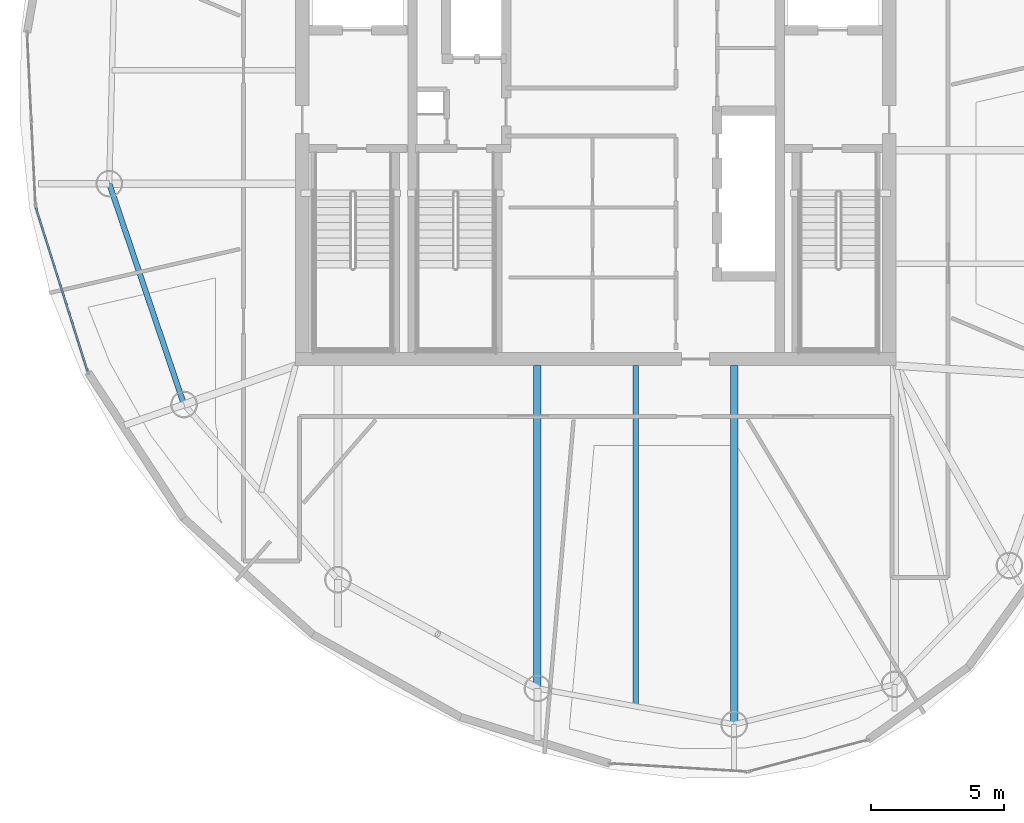
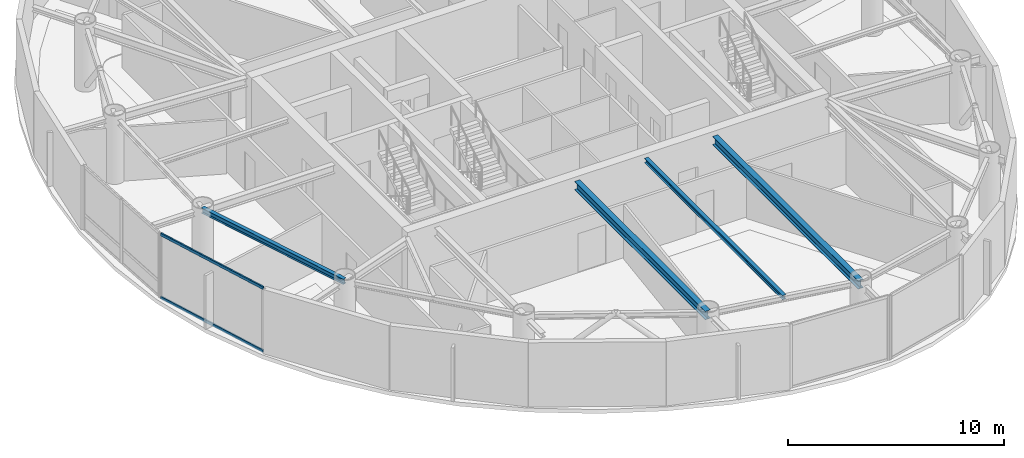
# One storey, part 4 of 19: 4 beams, 2 members, 1 element without a shape of its own.
"""IFC4 building model written with IfcOpenShell, lengths in metres."""

from ifc_helpers import new_model, si_unit, direction, frame, origin, origin_2d, place, context, subcontext, project, spatial, hollow_rectangle, i_section, extrude, material, layer, layer_set, material_profile, profile_set, type_object, element, aggregate, save


model = new_model("IFC4")

# Units and contexts
model_context = context("Model", 3, precision=1e-05, world=origin(), true_north=direction((0.0, 1.0)))
body_context = subcontext(model_context, "Body", "Model", "MODEL_VIEW")
ifc_project = project(units=[si_unit("LENGTHUNIT", "METRE"), si_unit("AREAUNIT", "SQUARE_METRE"), si_unit("VOLUMEUNIT", "CUBIC_METRE"), si_unit("PLANEANGLEUNIT", "RADIAN"), si_unit("MASSUNIT", "GRAM", prefix="KILO")], contexts=[model_context])

# Site, building, storey
site_placement = place(None, origin())
site = spatial("IfcSite", under=ifc_project, at=site_placement, CompositionType="ELEMENT")
building_placement = place(site_placement, origin())
building = spatial("IfcBuilding", under=site, at=building_placement, Name="Bramvorn Convention Spire", CompositionType="ELEMENT")
storey_placement = place(building_placement, frame((0.0, 0.0, 292.10009765625)))
storey = spatial("IfcBuildingStorey", under=building, at=storey_placement, Name="L74", CompositionType="ELEMENT", Elevation=292.10009765625)

# Beams
ifc_material_1 = material(Name="Steel CSA G40.21 Grade 350 (350W)", Category="steel")
ifc_material_profile_1 = material_profile(ifc_material_1, i_section(OverallWidth=0.201904296875, OverallDepth=0.2470703125, WebThickness=0.00732421875, FlangeThickness=0.010986328125, FilletRadius=0.011962890625, at=origin_2d()))
ifc_profile_set_1 = profile_set([ifc_material_profile_1], Name="Steel CSA G40.21 Grade 350 (350W) - W250X49")
beam_type_1 = type_object("IfcBeamType", Name="BM-W250X49", PredefinedType="JOIST", material=ifc_profile_set_1)
beam_1_placement = place(storey_placement, frame((39.501953125, 18.550048828125, 3.50146484375), z_axis=(0.0, -1.0, 0.0), x_axis=(1.0, 0.0, 0.0)))
element("IfcBeam", 1, at=beam_1_placement, inside=storey, type_object=beam_type_1, Name="L74 composite floor joist 15", PredefinedType="JOIST", context=body_context, shape_type="SweptSolid", body=[
    extrude(i_section(OverallWidth=0.201904296875, OverallDepth=0.2470703125, WebThickness=0.00732421875, FlangeThickness=0.010986328125, FilletRadius=0.011962890625, at=origin_2d()), origin(), (0.0, 0.0, 1.0), 12.77587890625),
])
ifc_material_profile_2 = material_profile(ifc_material_1, i_section(OverallWidth=0.202880859375, OverallDepth=0.302978515625, WebThickness=0.007568359375, FlangeThickness=0.01318359375, FilletRadius=0.013916015625, at=origin_2d()))
ifc_profile_set_2 = profile_set([ifc_material_profile_2], Name="Steel CSA G40.21 Grade 350 (350W) - W310X60")
beam_type_2 = type_object("IfcBeamType", Name="BM-W310X60", PredefinedType="JOIST", material=ifc_profile_set_2)
beam_2_placement = place(storey_placement, frame((19.765380859375, 25.37060546875, 3.473388671875), z_axis=(0.320531023763, -0.947238018032, 0.0), x_axis=(0.947238018032, 0.320531023763, 0.0)))
element("IfcBeam", 2, at=beam_2_placement, inside=storey, type_object=beam_type_2, Name="L74 mega-column ring beam 12", PredefinedType="JOIST", context=body_context, shape_type="SweptSolid", body=[
    extrude(i_section(OverallWidth=0.202880859375, OverallDepth=0.302978515625, WebThickness=0.007568359375, FlangeThickness=0.01318359375, FilletRadius=0.013916015625, at=origin_2d()), origin(), (0.0, 0.0, 1.0), 8.74169921875),
])
ifc_material_profile_3 = material_profile(ifc_material_1, i_section(OverallWidth=0.283935546875, OverallDepth=0.47607421875, WebThickness=0.014892578125, FlangeThickness=0.02392578125, FilletRadius=0.01806640625, at=origin_2d()))
ifc_profile_set_3 = profile_set([ifc_material_profile_3], Name="Steel CSA G40.21 Grade 350 (350W) - W460X158")
beam_type_3 = type_object("IfcBeamType", Name="BM-W460X158", PredefinedType="SPANDREL", material=ifc_profile_set_3)
beam_3_placement = place(storey_placement, frame((35.8154296875, 18.550048828125, 3.386962890625), z_axis=(0.0, -1.0, 0.0), x_axis=(1.0, 0.0, 0.0)))
element("IfcBeam", 3, at=beam_3_placement, inside=storey, type_object=beam_type_3, Name="L74 radial floor girder MC15", PredefinedType="SPANDREL", context=body_context, shape_type="SweptSolid", body=[
    extrude(i_section(OverallWidth=0.283935546875, OverallDepth=0.47607421875, WebThickness=0.014892578125, FlangeThickness=0.02392578125, FilletRadius=0.01806640625, at=origin_2d()), origin(), (0.0, 0.0, 1.0), 12.100830078125),
])
beam_4_placement = place(storey_placement, frame((43.1884765625, 18.550048828125, 3.346923828125), z_axis=(0.0, -1.0, 0.0), x_axis=(1.0, 0.0, 0.0)))
element("IfcBeam", 4, at=beam_4_placement, inside=storey, type_object=beam_type_3, Name="L74 Sky-Garden back-span radial girder MC16", PredefinedType="SPANDREL", context=body_context, shape_type="SweptSolid", body=[
    extrude(i_section(OverallWidth=0.283935546875, OverallDepth=0.47607421875, WebThickness=0.014892578125, FlangeThickness=0.02392578125, FilletRadius=0.01806640625, at=origin_2d()), origin(), (0.0, 0.0, 1.0), 13.450927734375),
])

# Curtain wall, members
ifc_material_2 = material(Name="Anodised Bronze Unitised Curtain Wall", Category="aluminium")
ifc_layer = layer(ifc_material_2, 0.179931640625)
ifc_layer_set = layer_set([ifc_layer], Name="Anodised Bronze Unitised Curtain Wall - CW-OFF-FRIT")
curtain_wall_type = type_object("IfcCurtainWallType", Name="CW-OFF-FRIT", PredefinedType="USERDEFINED", material=ifc_layer_set)
curtain_wall_placement = place(storey_placement, origin())
curtain_wall = element("IfcCurtainWall", 5, at=curtain_wall_placement, inside=storey, type_object=curtain_wall_type, Name="L74 fritted glass curtain wall 18", ObjectType="UNITISED CURTAIN WALL", PredefinedType="USERDEFINED")
ifc_material_3 = material(Name="Anodised Bronze Aluminium 6063-T6", Category="aluminium")
ifc_material_profile_4 = material_profile(ifc_material_3, hollow_rectangle(XDim=0.080078125, YDim=0.159912109375, WallThickness=0.00390625, InnerFilletRadius=0.0009765625, OuterFilletRadius=0.00390625, at=origin_2d()))
ifc_profile_set_4 = profile_set([ifc_material_profile_4], Name="Anodised Bronze Aluminium 6063-T6 - CWT80X160")
member_type = type_object("IfcMemberType", Name="CW-TRN-150", PredefinedType="USERDEFINED", material=ifc_profile_set_4)
member_1_placement = place(storey_placement, frame((18.9501953125, 18.3486328125, 0.02978515625), z_axis=(-0.300994588514, 0.953625847849, 0.0), x_axis=(-0.953625847849, -0.300994588514, 0.0)))
member_1 = element("IfcMember", 6, at=member_1_placement, type_object=member_type, Name="CW3 transom 1.1", ObjectType="TRANSOM", PredefinedType="USERDEFINED", context=body_context, shape_type="SweptSolid", body=[
    extrude(hollow_rectangle(XDim=0.080078125, YDim=0.159912109375, WallThickness=0.00390625, InnerFilletRadius=0.0009765625, OuterFilletRadius=0.00390625, at=origin_2d()), origin(), (0.0, 0.0, 1.0), 6.406982421875),
])
member_2_placement = place(storey_placement, frame((18.9501953125, 18.3486328125, 3.594970703125), z_axis=(-0.300994588514, 0.953625847849, 0.0), x_axis=(-0.953625847849, -0.300994588514, 0.0)))
member_2 = element("IfcMember", 7, at=member_2_placement, type_object=member_type, Name="CW3 transom 1.2", ObjectType="TRANSOM", PredefinedType="USERDEFINED", context=body_context, shape_type="SweptSolid", body=[
    extrude(hollow_rectangle(XDim=0.080078125, YDim=0.159912109375, WallThickness=0.00390625, InnerFilletRadius=0.0009765625, OuterFilletRadius=0.00390625, at=origin_2d()), origin(), (0.0, 0.0, 1.0), 6.406982421875),
])
aggregate(curtain_wall, [member_1, member_2])

save(model, "model.ifc")
